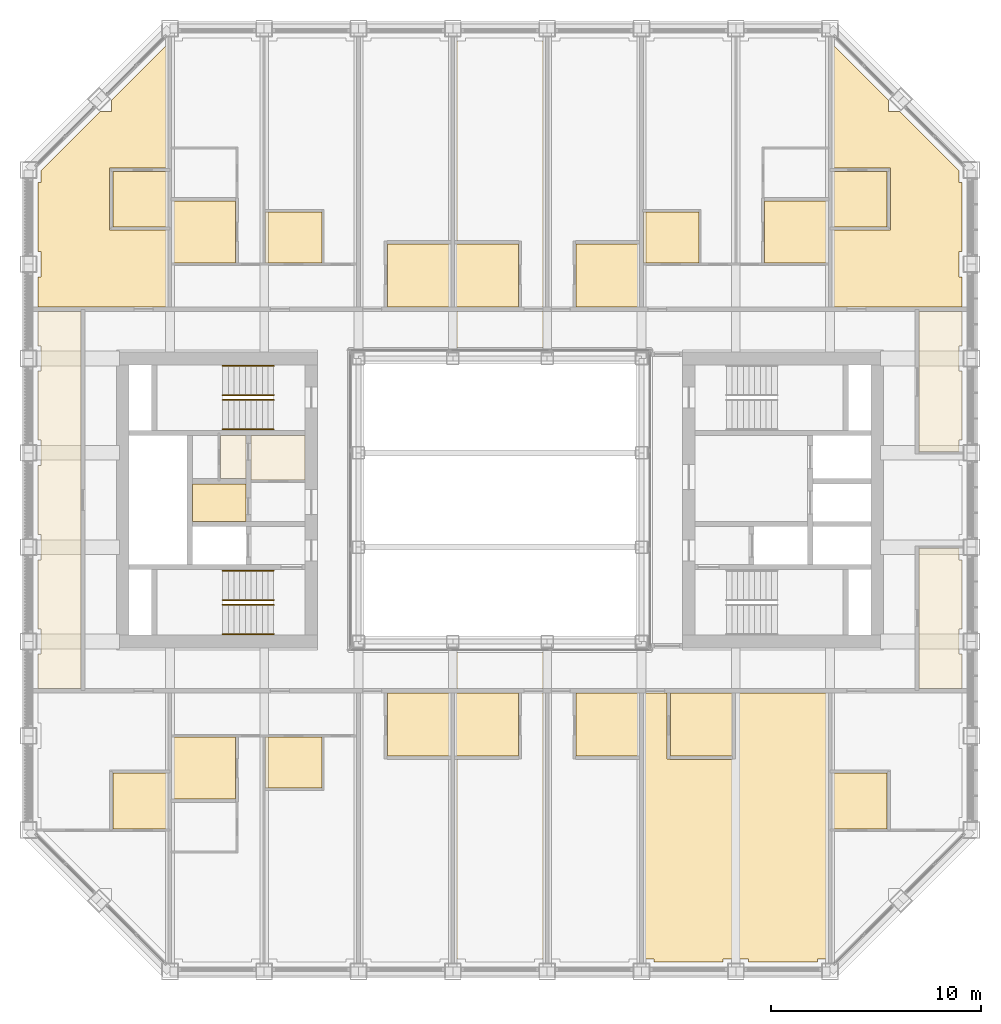
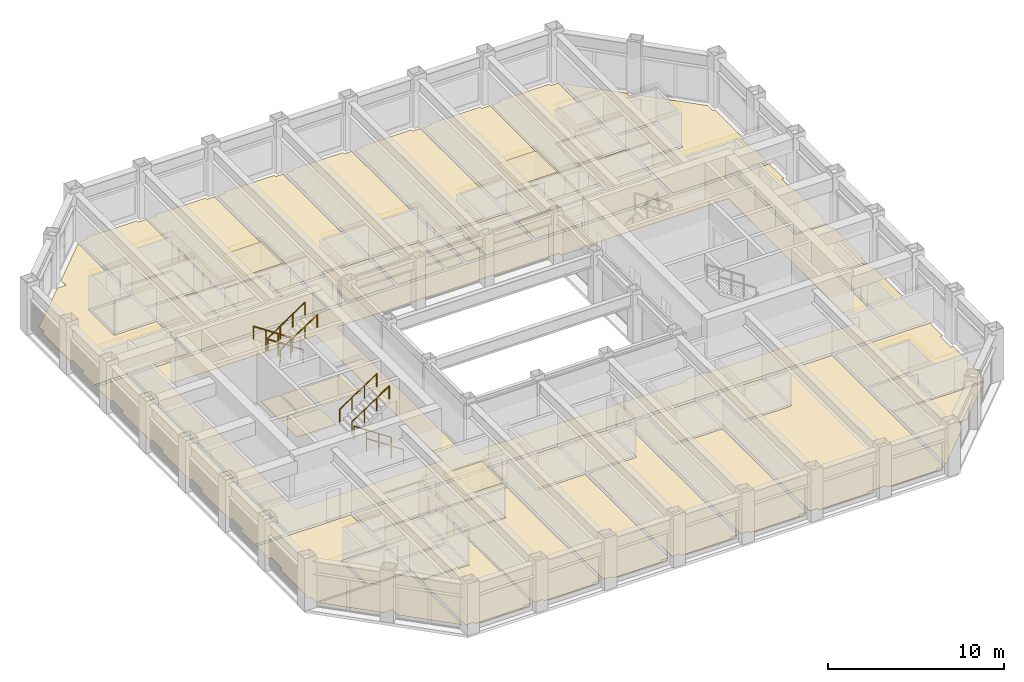
# One storey, part 16 of 18: 8 railings, 5 coverings.
"""IFC4 building model written with IfcOpenShell, lengths in metres."""

from ifc_helpers import new_model, si_unit, direction, frame, origin, origin_2d, place, context, subcontext, project, spatial, line, indexed_curve, circle, outline, extrude, material, layer, layer_set, type_object, element, save


model = new_model("IFC4")

# Units and contexts
model_context = context("Model", 3, precision=1e-05, world=origin(), true_north=direction((0.0, 1.0)))
body_context = subcontext(model_context, "Body", "Model", "MODEL_VIEW")
ifc_project = project(units=[si_unit("LENGTHUNIT", "METRE"), si_unit("AREAUNIT", "SQUARE_METRE"), si_unit("VOLUMEUNIT", "CUBIC_METRE"), si_unit("PLANEANGLEUNIT", "RADIAN"), si_unit("MASSUNIT", "GRAM", prefix="KILO")], contexts=[model_context])

# Site, building, storey
site_placement = place(None, origin())
site = spatial("IfcSite", under=ifc_project, at=site_placement, CompositionType="ELEMENT")
building_placement = place(site_placement, origin())
building = spatial("IfcBuilding", under=site, at=building_placement, Name="Msasa Ring Tower", CompositionType="ELEMENT")
storey_placement = place(building_placement, frame((0.0, 0.0, 186.800048828125)))
storey = spatial("IfcBuildingStorey", under=building, at=storey_placement, Name="L49", CompositionType="ELEMENT", Elevation=186.800048828125)

# Coverings
ifc_material_1 = material(Name="Perforated aluminium ceiling pans on a steel grid", Category="steel")
ifc_layer_1 = layer(ifc_material_1, 0.02490234375)
ifc_layer_set_1 = layer_set([ifc_layer_1], Name="C4 PERFORATED METAL PAN CEILING 25")
covering_type_1 = type_object("IfcCoveringType", Name="C4 PERFORATED METAL PAN CEILING 25", PredefinedType="CEILING", material=ifc_layer_set_1)
covering_1_placement = place(storey_placement, frame((0.0, 0.0, 2.39990234375)))
element("IfcCovering", 1, at=covering_1_placement, inside=storey, type_object=covering_type_1, Name="Perforated Metal Pan Ceiling 25 L49", PredefinedType="CEILING", context=body_context, shape_type="SweptSolid", body=[
    extrude(outline(indexed_curve([(-8.50048828125, -11.300537109375), (-8.50048828125, -13.74951171875), (-11.039306640625, -13.74951171875), (-11.039306640625, -11.300537109375)], segments=[line(1, 2, 3, 4, 1)], self_intersect=False)), origin(), (0.0, 0.0, 1.0), 0.025146484375),
    extrude(outline(indexed_curve([(-8.50048828125, 11.300537109375), (-11.039306640625, 11.300537109375), (-11.039306640625, 13.74951171875), (-8.50048828125, 13.74951171875)], segments=[line(1, 2, 3, 4, 1)], self_intersect=False)), origin(), (0.0, 0.0, 1.0), 0.025146484375),
    extrude(outline(indexed_curve([(9.49951171875, 11.300537109375), (6.960693359375, 11.300537109375), (6.960693359375, 13.74951171875), (9.49951171875, 13.74951171875)], segments=[line(1, 2, 3, 4, 1)], self_intersect=False)), origin(), (0.0, 0.0, 1.0), 0.025146484375),
])
ifc_material_2 = material(Name="Wool-blend carpet on felt underlay", Category="textile")
ifc_layer_2 = layer(ifc_material_2, 0.011962890625)
ifc_layer_set_2 = layer_set([ifc_layer_2], Name="F2 CARPET ON UNDERLAY 12")
covering_type_2 = type_object("IfcCoveringType", Name="F2 CARPET ON UNDERLAY 12", PredefinedType="FLOORING", material=ifc_layer_set_2)
covering_2_placement = place(storey_placement, origin())
element("IfcCovering", 2, at=covering_2_placement, inside=storey, type_object=covering_type_2, Name="Carpet On Underlay 12 L49", PredefinedType="FLOORING", context=body_context, shape_type="SweptSolid", body=[
    extrude(outline(indexed_curve([(-15.8505859375, -9.200439453125), (-15.8505859375, -12.869384765625), (-18.630615234375, -12.869384765625), (-18.630615234375, -15.694580078125), (-21.8994140625, -15.694580078125), (-21.8994140625, -15.1494140625), (-22.049560546875, -15.1494140625), (-22.049560546875, -11.8505859375), (-21.8994140625, -11.8505859375), (-21.8994140625, -10.6494140625), (-22.049560546875, -10.6494140625), (-22.049560546875, -9.200439453125)], segments=[line(1, 2, 3, 4, 5, 6, 7, 8, 9, 10, 11, 12, 1)], self_intersect=False)), origin(), (0.0, 0.0, 1.0), 0.011962890625),
    extrude(outline(indexed_curve([(-15.8505859375, -15.805419921875), (-15.8505859375, -21.762451171875), (-18.5244140625, -19.08837890625), (-18.5244140625, -18.5244140625), (-19.08837890625, -18.5244140625), (-21.807373046875, -15.805419921875)], segments=[line(1, 2, 3, 4, 5, 6, 1)], self_intersect=False)), origin(), (0.0, 0.0, 1.0), 0.011962890625),
    extrude(outline(indexed_curve([(22.049560546875, -1.6494140625), (21.8994140625, -1.6494140625), (21.8994140625, -2.199462890625), (19.799560546875, -2.199462890625), (19.799560546875, -8.99951171875), (-19.799560546875, -8.99951171875), (-19.799560546875, 8.99951171875), (19.799560546875, 8.99951171875), (19.799560546875, 2.199462890625), (21.8994140625, 2.199462890625), (21.8994140625, 1.6494140625), (22.049560546875, 1.6494140625)], segments=[line(1, 2, 3, 4, 5, 6, 7, 8, 9, 10, 11, 12, 1)], self_intersect=False), holes=[indexed_curve([(8.699462890625, -7.150390625), (18.300537109375, -7.150390625), (18.300537109375, 7.150390625), (8.699462890625, 7.150390625), (8.699462890625, 7.050537109375), (7.280029296875, 7.050537109375), (7.280517578125, 7.23046875), (7.22998046875, 7.23046875), (7.22998046875, 7.280029296875), (-7.22998046875, 7.280029296875), (-7.22998046875, 7.23046875), (-7.280517578125, 7.23046875), (-7.280517578125, -7.23046875), (-7.22998046875, -7.23046875), (-7.22998046875, -7.280029296875), (7.22998046875, -7.280029296875), (7.22998046875, -7.23046875), (7.280517578125, -7.23046875), (7.280029296875, -7.050537109375), (8.699462890625, -7.050537109375)], segments=[line(1, 2, 3, 4, 5, 6, 7, 8, 9, 10, 11, 12, 13, 14, 15, 16, 17, 18, 19, 20, 1)], self_intersect=False), indexed_curve([(-8.699462890625, -7.150390625), (-8.699462890625, 7.150390625), (-18.300537109375, 7.150390625), (-18.300537109375, -7.150390625)], segments=[line(1, 2, 3, 4, 1)], self_intersect=False)]), origin(), (0.0, 0.0, 1.0), 0.011962890625),
    extrude(outline(indexed_curve([(-15.662109375, -16.8505859375), (-12.49951171875, -16.8505859375), (-12.49951171875, -14.39990234375), (-12.474609375, -14.39990234375), (-12.474609375, -11.300537109375), (-11.310546875, -11.300537109375), (-11.310546875, -21.8994140625), (-11.8505859375, -21.8994140625), (-11.8505859375, -22.049560546875), (-15.1494140625, -22.049560546875), (-15.1494140625, -21.8994140625), (-15.662109375, -21.8994140625)], segments=[line(1, 2, 3, 4, 5, 6, 7, 8, 9, 10, 11, 12, 1)], self_intersect=False)), origin(), (0.0, 0.0, 1.0), 0.011962890625),
    extrude(outline(indexed_curve([(-12.6005859375, -16.744384765625), (-15.662109375, -16.744384765625), (-15.662109375, -14.430419921875), (-12.6005859375, -14.430419921875)], segments=[line(1, 2, 3, 4, 1)], self_intersect=False)), origin(), (0.0, 0.0, 1.0), 0.011962890625),
    extrude(outline(indexed_curve([(-11.8505859375, 22.049560546875), (-11.8505859375, 21.8994140625), (-11.310546875, 21.8994140625), (-11.310546875, 11.300537109375), (-12.474609375, 11.300537109375), (-12.474609375, 14.39990234375), (-12.49951171875, 14.39990234375), (-12.49951171875, 16.8505859375), (-15.662109375, 16.8505859375), (-15.662109375, 21.8994140625), (-15.1494140625, 21.8994140625), (-15.1494140625, 22.049560546875)], segments=[line(1, 2, 3, 4, 5, 6, 7, 8, 9, 10, 11, 12, 1)], self_intersect=False)), origin(), (0.0, 0.0, 1.0), 0.011962890625),
    extrude(outline(indexed_curve([(-12.6005859375, 16.744384765625), (-12.6005859375, 14.430419921875), (-15.662109375, 14.430419921875), (-15.662109375, 16.744384765625)], segments=[line(1, 2, 3, 4, 1)], self_intersect=False)), origin(), (0.0, 0.0, 1.0), 0.011962890625),
    extrude(outline(indexed_curve([(-6.8505859375, -9.200439453125), (-6.8505859375, -11.199462890625), (-15.6494140625, -11.199462890625), (-15.6494140625, -9.200439453125)], segments=[line(1, 2, 3, 4, 1)], self_intersect=False)), origin(), (0.0, 0.0, 1.0), 0.011962890625),
    extrude(outline(indexed_curve([(-6.8505859375, 9.200439453125), (-15.6494140625, 9.200439453125), (-15.6494140625, 11.199462890625), (-6.8505859375, 11.199462890625)], segments=[line(1, 2, 3, 4, 1)], self_intersect=False)), origin(), (0.0, 0.0, 1.0), 0.011962890625),
    extrude(outline(indexed_curve([(-13.45556640625, 1.025390625), (-14.674560546875, 1.025390625), (-14.674560546875, 3.074462890625), (-13.45556640625, 3.074462890625)], segments=[line(1, 2, 3, 4, 1)], self_intersect=False)), origin(), (0.0, 0.0, 1.0), 0.011962890625),
    extrude(outline(indexed_curve([(-10.6494140625, -22.049560546875), (-10.6494140625, -21.8994140625), (-11.189453125, -21.8994140625), (-11.189453125, -13.8505859375), (-8.3994140625, -13.8505859375), (-8.3994140625, -11.300537109375), (-6.837890625, -11.300537109375), (-6.837890625, -21.8994140625), (-7.3505859375, -21.8994140625), (-7.3505859375, -22.049560546875)], segments=[line(1, 2, 3, 4, 5, 6, 7, 8, 9, 10, 1)], self_intersect=False)), origin(), (0.0, 0.0, 1.0), 0.011962890625),
    extrude(outline(indexed_curve([(-8.3994140625, 11.300537109375), (-8.3994140625, 13.8505859375), (-11.189453125, 13.8505859375), (-11.189453125, 21.8994140625), (-10.6494140625, 21.8994140625), (-10.6494140625, 22.049560546875), (-7.3505859375, 22.049560546875), (-7.3505859375, 21.8994140625), (-6.837890625, 21.8994140625), (-6.837890625, 11.300537109375)], segments=[line(1, 2, 3, 4, 5, 6, 7, 8, 9, 10, 1)], self_intersect=False)), origin(), (0.0, 0.0, 1.0), 0.011962890625),
    extrude(outline(indexed_curve([(-6.6494140625, -9.200439453125), (-5.525390625, -9.200439453125), (-5.525390625, -12.35009765625), (-5.39990234375, -12.3505859375), (-5.39990234375, -12.37548828125), (-2.3505859375, -12.37548828125), (-2.3505859375, -21.8994140625), (-2.8505859375, -21.8994140625), (-2.8505859375, -22.049560546875), (-6.1494140625, -22.049560546875), (-6.1494140625, -21.8994140625), (-6.6494140625, -21.8994140625)], segments=[line(1, 2, 3, 4, 5, 6, 7, 8, 9, 10, 11, 12, 1)], self_intersect=False)), origin(), (0.0, 0.0, 1.0), 0.011962890625),
    extrude(outline(indexed_curve([(-2.8505859375, 22.049560546875), (-2.8505859375, 21.8994140625), (-2.3505859375, 21.8994140625), (-2.3505859375, 12.37548828125), (-5.39990234375, 12.37548828125), (-5.39990234375, 12.3505859375), (-5.525390625, 12.35009765625), (-5.525390625, 9.200439453125), (-6.6494140625, 9.200439453125), (-6.6494140625, 21.8994140625), (-6.1494140625, 21.8994140625), (-6.1494140625, 22.049560546875)], segments=[line(1, 2, 3, 4, 5, 6, 7, 8, 9, 10, 11, 12, 1)], self_intersect=False)), origin(), (0.0, 0.0, 1.0), 0.011962890625),
    extrude(outline(indexed_curve([(-1.6494140625, -22.049560546875), (-1.6494140625, -21.8994140625), (-2.1494140625, -21.8994140625), (-2.1494140625, -12.37548828125), (0.89990234375, -12.37548828125), (0.89990234375, -12.3505859375), (1.025390625, -12.35009765625), (1.025390625, -9.200439453125), (2.1494140625, -9.200439453125), (2.1494140625, -21.8994140625), (1.6494140625, -21.8994140625), (1.6494140625, -22.049560546875)], segments=[line(1, 2, 3, 4, 5, 6, 7, 8, 9, 10, 11, 12, 1)], self_intersect=False)), origin(), (0.0, 0.0, 1.0), 0.011962890625),
    extrude(outline(indexed_curve([(1.025390625, 9.200439453125), (1.025390625, 12.35009765625), (0.89990234375, 12.3505859375), (0.89990234375, 12.37548828125), (-2.1494140625, 12.37548828125), (-2.1494140625, 21.8994140625), (-1.6494140625, 21.8994140625), (-1.6494140625, 22.049560546875), (1.6494140625, 22.049560546875), (1.6494140625, 21.8994140625), (2.1494140625, 21.8994140625), (2.1494140625, 9.200439453125)], segments=[line(1, 2, 3, 4, 5, 6, 7, 8, 9, 10, 11, 12, 1)], self_intersect=False)), origin(), (0.0, 0.0, 1.0), 0.011962890625),
    extrude(outline(indexed_curve([(3.474609375, -9.200439453125), (3.474609375, -12.35009765625), (3.60009765625, -12.3505859375), (3.60009765625, -12.37548828125), (6.6494140625, -12.37548828125), (6.6494140625, -21.8994140625), (6.1494140625, -21.8994140625), (6.1494140625, -22.049560546875), (2.8505859375, -22.049560546875), (2.8505859375, -21.8994140625), (2.3505859375, -21.8994140625), (2.3505859375, -9.200439453125)], segments=[line(1, 2, 3, 4, 5, 6, 7, 8, 9, 10, 11, 12, 1)], self_intersect=False)), origin(), (0.0, 0.0, 1.0), 0.011962890625),
    extrude(outline(indexed_curve([(2.3505859375, 21.8994140625), (2.8505859375, 21.8994140625), (2.8505859375, 22.049560546875), (6.1494140625, 22.049560546875), (6.1494140625, 21.8994140625), (6.6494140625, 21.8994140625), (6.6494140625, 12.37548828125), (3.60009765625, 12.37548828125), (3.60009765625, 12.3505859375), (3.474609375, 12.35009765625), (3.474609375, 9.200439453125), (2.3505859375, 9.200439453125)], segments=[line(1, 2, 3, 4, 5, 6, 7, 8, 9, 10, 11, 12, 1)], self_intersect=False)), origin(), (0.0, 0.0, 1.0), 0.011962890625),
    extrude(outline(indexed_curve([(9.6005859375, 11.300537109375), (9.6005859375, 13.8505859375), (6.837890625, 13.8505859375), (6.837890625, 21.8994140625), (7.3505859375, 21.8994140625), (7.3505859375, 22.049560546875), (10.6494140625, 22.049560546875), (10.6494140625, 21.8994140625), (11.189453125, 21.8994140625), (11.189453125, 11.300537109375)], segments=[line(1, 2, 3, 4, 5, 6, 7, 8, 9, 10, 1)], self_intersect=False)), origin(), (0.0, 0.0, 1.0), 0.011962890625),
    extrude(outline(indexed_curve([(15.6494140625, 9.200439453125), (6.8505859375, 9.200439453125), (6.8505859375, 11.199462890625), (15.6494140625, 11.199462890625)], segments=[line(1, 2, 3, 4, 1)], self_intersect=False)), origin(), (0.0, 0.0, 1.0), 0.011962890625),
    extrude(outline(indexed_curve([(15.662109375, 16.8505859375), (12.49951171875, 16.8505859375), (12.49951171875, 14.39990234375), (12.474609375, 14.39990234375), (12.474609375, 11.300537109375), (11.310546875, 11.300537109375), (11.310546875, 21.8994140625), (11.8505859375, 21.8994140625), (11.8505859375, 22.049560546875), (15.1494140625, 22.049560546875), (15.1494140625, 21.8994140625), (15.662109375, 21.8994140625)], segments=[line(1, 2, 3, 4, 5, 6, 7, 8, 9, 10, 11, 12, 1)], self_intersect=False)), origin(), (0.0, 0.0, 1.0), 0.011962890625),
    extrude(outline(indexed_curve([(15.662109375, 16.744384765625), (15.662109375, 14.430419921875), (12.6005859375, 14.430419921875), (12.6005859375, 16.744384765625)], segments=[line(1, 2, 3, 4, 1)], self_intersect=False)), origin(), (0.0, 0.0, 1.0), 0.011962890625),
    extrude(outline(indexed_curve([(15.8505859375, -15.805419921875), (21.807373046875, -15.805419921875), (19.08837890625, -18.5244140625), (18.5244140625, -18.5244140625), (18.5244140625, -19.08837890625), (15.8505859375, -21.762451171875)], segments=[line(1, 2, 3, 4, 5, 6, 1)], self_intersect=False)), origin(), (0.0, 0.0, 1.0), 0.011962890625),
    extrude(outline(indexed_curve([(15.8505859375, -9.200439453125), (22.049560546875, -9.200439453125), (22.049560546875, -10.6494140625), (21.8994140625, -10.6494140625), (21.8994140625, -11.8505859375), (22.049560546875, -11.8505859375), (22.049560546875, -15.1494140625), (21.8994140625, -15.1494140625), (21.8994140625, -15.694580078125), (18.630615234375, -15.694580078125), (18.630615234375, -12.869384765625), (15.8505859375, -12.869384765625)], segments=[line(1, 2, 3, 4, 5, 6, 7, 8, 9, 10, 11, 12, 1)], self_intersect=False)), origin(), (0.0, 0.0, 1.0), 0.011962890625),
])
ifc_material_3 = material(Name="Engineered oak boards on an acoustic underlay", Category="wood")
ifc_layer_3 = layer(ifc_material_3, 0.01806640625)
ifc_layer_set_3 = layer_set([ifc_layer_3], Name="F3 ENGINEERED TIMBER ON ACOUSTIC UNDERLAY 18")
covering_type_3 = type_object("IfcCoveringType", Name="F3 ENGINEERED TIMBER ON ACOUSTIC UNDERLAY 18", PredefinedType="FLOORING", material=ifc_layer_set_3)
covering_3_placement = place(storey_placement, origin())
element("IfcCovering", 3, at=covering_3_placement, inside=storey, type_object=covering_type_3, Name="Engineered Timber On Acoustic Underlay 18 L49", PredefinedType="FLOORING", context=body_context, shape_type="SweptSolid", body=[
    extrude(outline(indexed_curve([(-18.630615234375, 15.83056640625), (-18.630615234375, 12.869384765625), (-15.8505859375, 12.869384765625), (-15.8505859375, 9.200439453125), (-22.049560546875, 9.200439453125), (-22.049560546875, 10.6494140625), (-21.8994140625, 10.6494140625), (-21.8994140625, 11.8505859375), (-22.049560546875, 11.8505859375), (-22.049560546875, 15.1494140625), (-21.8994140625, 15.1494140625), (-21.8994140625, 15.71337890625), (-19.08837890625, 18.5244140625), (-18.5244140625, 18.5244140625), (-18.5244140625, 19.08837890625), (-15.8505859375, 21.762451171875), (-15.8505859375, 15.83056640625)], segments=[line(1, 2, 3, 4, 5, 6, 7, 8, 9, 10, 11, 12, 13, 14, 15, 16, 17, 1)], self_intersect=False)), origin(), (0.0, 0.0, 1.0), 0.01806640625),
    extrude(outline(indexed_curve([(6.8505859375, -9.200439453125), (7.974609375, -9.200439453125), (7.974609375, -12.35009765625), (8.10009765625, -12.3505859375), (8.10009765625, -12.37548828125), (11.10009765625, -12.37548828125), (11.10009765625, -12.3505859375), (11.2255859375, -12.35009765625), (11.2255859375, -9.200439453125), (15.6494140625, -9.200439453125), (15.6494140625, -21.8994140625), (15.1494140625, -21.8994140625), (15.1494140625, -22.049560546875), (11.8505859375, -22.049560546875), (11.8505859375, -21.8994140625), (10.6494140625, -21.8994140625), (10.6494140625, -22.049560546875), (7.3505859375, -22.049560546875), (7.3505859375, -21.8994140625), (6.8505859375, -21.8994140625)], segments=[line(1, 2, 3, 4, 5, 6, 7, 8, 9, 10, 11, 12, 13, 14, 15, 16, 17, 18, 19, 20, 1)], self_intersect=False)), origin(), (0.0, 0.0, 1.0), 0.01806640625),
    extrude(outline(indexed_curve([(15.8505859375, 15.83056640625), (15.8505859375, 21.762451171875), (18.5244140625, 19.08837890625), (18.5244140625, 18.5244140625), (19.08837890625, 18.5244140625), (21.8994140625, 15.71337890625), (21.8994140625, 15.1494140625), (22.049560546875, 15.1494140625), (22.049560546875, 11.8505859375), (21.8994140625, 11.8505859375), (21.8994140625, 10.6494140625), (22.049560546875, 10.6494140625), (22.049560546875, 9.200439453125), (15.8505859375, 9.200439453125), (15.8505859375, 12.869384765625), (18.630615234375, 12.869384765625), (18.630615234375, 15.83056640625)], segments=[line(1, 2, 3, 4, 5, 6, 7, 8, 9, 10, 11, 12, 13, 14, 15, 16, 17, 1)], self_intersect=False)), origin(), (0.0, 0.0, 1.0), 0.01806640625),
])
ifc_material_4 = material(Name="Porcelain floor tiles in adhesive", Category="ceramic")
ifc_layer_4 = layer(ifc_material_4, 0.010009765625)
ifc_layer_set_4 = layer_set([ifc_layer_4], Name="F4 PORCELAIN TILE ON ADHESIVE 10")
covering_type_4 = type_object("IfcCoveringType", Name="F4 PORCELAIN TILE ON ADHESIVE 10", PredefinedType="FLOORING", material=ifc_layer_set_4)
covering_4_placement = place(storey_placement, origin())
element("IfcCovering", 4, at=covering_4_placement, inside=storey, type_object=covering_type_4, Name="Porcelain Tile On Adhesive 10 L49", PredefinedType="FLOORING", context=body_context, shape_type="SweptSolid", body=[
    extrude(outline(indexed_curve([(-18.469482421875, -13.030517578125), (-15.8505859375, -13.030517578125), (-15.8505859375, -15.694580078125), (-18.469482421875, -15.694580078125)], segments=[line(1, 2, 3, 4, 1)], self_intersect=False)), origin(), (0.0, 0.0, 1.0), 0.010009765625),
    extrude(outline(indexed_curve([(-15.8505859375, 15.66943359375), (-15.8505859375, 13.030517578125), (-18.469482421875, 13.030517578125), (-18.469482421875, 15.66943359375)], segments=[line(1, 2, 3, 4, 1)], self_intersect=False)), origin(), (0.0, 0.0, 1.0), 0.010009765625),
    extrude(outline(indexed_curve([(-12.62548828125, -11.300537109375), (-12.62548828125, -14.2744140625), (-15.662109375, -14.2744140625), (-15.662109375, -11.300537109375)], segments=[line(1, 2, 3, 4, 1)], self_intersect=False)), origin(), (0.0, 0.0, 1.0), 0.010009765625),
    extrude(outline(indexed_curve([(-15.662109375, 11.300537109375), (-15.662109375, 14.2744140625), (-12.62548828125, 14.2744140625), (-12.62548828125, 11.300537109375)], segments=[line(1, 2, 3, 4, 1)], self_intersect=False)), origin(), (0.0, 0.0, 1.0), 0.010009765625),
    extrude(outline(indexed_curve([(-12.12548828125, -1.0244140625), (-14.674560546875, -1.0244140625), (-14.674560546875, 0.7744140625), (-12.12548828125, 0.7744140625)], segments=[line(1, 2, 3, 4, 1)], self_intersect=False)), origin(), (0.0, 0.0, 1.0), 0.010009765625),
    extrude(outline(indexed_curve([(-2.3505859375, -9.200439453125), (-2.3505859375, -12.224609375), (-5.37451171875, -12.224609375), (-5.37451171875, -9.200439453125)], segments=[line(1, 2, 3, 4, 1)], self_intersect=False)), origin(), (0.0, 0.0, 1.0), 0.010009765625),
    extrude(outline(indexed_curve([(-2.3505859375, 9.200439453125), (-5.37451171875, 9.200439453125), (-5.37451171875, 12.224609375), (-2.3505859375, 12.224609375)], segments=[line(1, 2, 3, 4, 1)], self_intersect=False)), origin(), (0.0, 0.0, 1.0), 0.010009765625),
    extrude(outline(indexed_curve([(0.87451171875, -9.200439453125), (0.87451171875, -12.224609375), (-2.1494140625, -12.224609375), (-2.1494140625, -9.200439453125)], segments=[line(1, 2, 3, 4, 1)], self_intersect=False)), origin(), (0.0, 0.0, 1.0), 0.010009765625),
    extrude(outline(indexed_curve([(-2.1494140625, 9.200439453125), (-2.1494140625, 12.224609375), (0.87451171875, 12.224609375), (0.87451171875, 9.200439453125)], segments=[line(1, 2, 3, 4, 1)], self_intersect=False)), origin(), (0.0, 0.0, 1.0), 0.010009765625),
    extrude(outline(indexed_curve([(6.6494140625, -9.200439453125), (6.6494140625, -12.224609375), (3.62548828125, -12.224609375), (3.62548828125, -9.200439453125)], segments=[line(1, 2, 3, 4, 1)], self_intersect=False)), origin(), (0.0, 0.0, 1.0), 0.010009765625),
    extrude(outline(indexed_curve([(6.6494140625, 9.200439453125), (3.62548828125, 9.200439453125), (3.62548828125, 12.224609375), (6.6494140625, 12.224609375)], segments=[line(1, 2, 3, 4, 1)], self_intersect=False)), origin(), (0.0, 0.0, 1.0), 0.010009765625),
    extrude(outline(indexed_curve([(11.074462890625, -9.200439453125), (11.074462890625, -12.224609375), (8.12548828125, -12.224609375), (8.12548828125, -9.200439453125)], segments=[line(1, 2, 3, 4, 1)], self_intersect=False)), origin(), (0.0, 0.0, 1.0), 0.010009765625),
    extrude(outline(indexed_curve([(12.62548828125, 11.300537109375), (12.62548828125, 14.2744140625), (15.662109375, 14.2744140625), (15.662109375, 11.300537109375)], segments=[line(1, 2, 3, 4, 1)], self_intersect=False)), origin(), (0.0, 0.0, 1.0), 0.010009765625),
    extrude(outline(indexed_curve([(18.469482421875, -13.030517578125), (18.469482421875, -15.694580078125), (15.8505859375, -15.694580078125), (15.8505859375, -13.030517578125)], segments=[line(1, 2, 3, 4, 1)], self_intersect=False)), origin(), (0.0, 0.0, 1.0), 0.010009765625),
    extrude(outline(indexed_curve([(18.469482421875, 15.66943359375), (18.469482421875, 13.030517578125), (15.8505859375, 13.030517578125), (15.8505859375, 15.66943359375)], segments=[line(1, 2, 3, 4, 1)], self_intersect=False)), origin(), (0.0, 0.0, 1.0), 0.010009765625),
])
ifc_material_5 = material(Name="Welded vinyl safety sheet flooring", Category="vinyl")
ifc_layer_5 = layer(ifc_material_5, 0.0029296875)
ifc_layer_set_5 = layer_set([ifc_layer_5], Name="F5 RESILIENT SHEET FLOORING 3")
covering_type_5 = type_object("IfcCoveringType", Name="F5 RESILIENT SHEET FLOORING 3", PredefinedType="FLOORING", material=ifc_layer_set_5)
covering_5_placement = place(storey_placement, origin())
element("IfcCovering", 5, at=covering_5_placement, inside=storey, type_object=covering_type_5, Name="Resilient Sheet Flooring 3 L49", PredefinedType="FLOORING", context=body_context, shape_type="SweptSolid", body=[
    extrude(outline(indexed_curve([(-20.00048828125, -8.99951171875), (-22.049560546875, -8.99951171875), (-22.049560546875, -7.3505859375), (-21.8994140625, -7.3505859375), (-21.8994140625, -6.1494140625), (-22.049560546875, -6.1494140625), (-22.049560546875, -2.8505859375), (-21.8994140625, -2.8505859375), (-21.8994140625, -1.6494140625), (-22.049560546875, -1.6494140625), (-22.049560546875, 1.6494140625), (-21.8994140625, 1.6494140625), (-21.8994140625, 2.8505859375), (-22.049560546875, 2.8505859375), (-22.049560546875, 6.1494140625), (-21.8994140625, 6.1494140625), (-21.8994140625, 7.3505859375), (-22.049560546875, 7.3505859375), (-22.049560546875, 8.99951171875), (-20.00048828125, 8.99951171875)], segments=[line(1, 2, 3, 4, 5, 6, 7, 8, 9, 10, 11, 12, 13, 14, 15, 16, 17, 18, 19, 20, 1)], self_intersect=False)), origin(), (0.0, 0.0, 1.0), 0.0029296875),
    extrude(outline(indexed_curve([(-13.344482421875, 3.074462890625), (-12.12548828125, 3.074462890625), (-12.12548828125, 1.025390625), (-13.344482421875, 1.025390625)], segments=[line(1, 2, 3, 4, 1)], self_intersect=False)), origin(), (0.0, 0.0, 1.0), 0.0029296875),
    extrude(outline(indexed_curve([(-11.87451171875, 3.074462890625), (-9.300537109375, 3.074462890625), (-9.300537109375, 0.95556640625), (-11.87451171875, 0.95556640625)], segments=[line(1, 2, 3, 4, 1)], self_intersect=False)), origin(), (0.0, 0.0, 1.0), 0.0029296875),
    extrude(outline(indexed_curve([(-11.189453125, -11.300537109375), (-8.50048828125, -11.300537109375), (-8.50048828125, -13.74951171875), (-11.189453125, -13.74951171875)], segments=[line(1, 2, 3, 4, 1)], self_intersect=False)), origin(), (0.0, 0.0, 1.0), 0.0029296875),
    extrude(outline(indexed_curve([(-11.189453125, 13.74951171875), (-8.50048828125, 13.74951171875), (-8.50048828125, 11.300537109375), (-11.189453125, 11.300537109375)], segments=[line(1, 2, 3, 4, 1)], self_intersect=False)), origin(), (0.0, 0.0, 1.0), 0.0029296875),
    extrude(outline(indexed_curve([(9.49951171875, 13.74951171875), (9.49951171875, 11.300537109375), (6.837890625, 11.300537109375), (6.837890625, 13.74951171875)], segments=[line(1, 2, 3, 4, 1)], self_intersect=False)), origin(), (0.0, 0.0, 1.0), 0.0029296875),
    extrude(outline(indexed_curve([(20.00048828125, -8.99951171875), (20.00048828125, -2.305419921875), (21.8994140625, -2.305419921875), (21.8994140625, -2.8505859375), (22.049560546875, -2.8505859375), (22.049560546875, -6.1494140625), (21.8994140625, -6.1494140625), (21.8994140625, -7.3505859375), (22.049560546875, -7.3505859375), (22.049560546875, -8.99951171875)], segments=[line(1, 2, 3, 4, 5, 6, 7, 8, 9, 10, 1)], self_intersect=False)), origin(), (0.0, 0.0, 1.0), 0.0029296875),
    extrude(outline(indexed_curve([(20.00048828125, 2.305419921875), (20.00048828125, 8.99951171875), (22.049560546875, 8.99951171875), (22.049560546875, 7.3505859375), (21.8994140625, 7.3505859375), (21.8994140625, 6.1494140625), (22.049560546875, 6.1494140625), (22.049560546875, 2.8505859375), (21.8994140625, 2.8505859375), (21.8994140625, 2.305419921875)], segments=[line(1, 2, 3, 4, 5, 6, 7, 8, 9, 10, 1)], self_intersect=False)), origin(), (0.0, 0.0, 1.0), 0.0029296875),
])

# Railings
ifc_material_6 = material(Name="Stainless steel", Category="steel")
railing_type = type_object("IfcRailingType", Name="HR1 HANDRAIL 900", PredefinedType="HANDRAIL", material=ifc_material_6)
for number, where, name in (
    (6, (-10.800048828125, -6.39990234375, 0.179931640625), "Handrail stair SWA L49 1"),
    (7, (-10.800048828125, -5.0, 0.179931640625), "Handrail stair SWA L49 2"),
):
    element("IfcRailing", number, at=place(storey_placement, frame(where)), inside=storey, type_object=railing_type, Name=name, PredefinedType="HANDRAIL", context=body_context, shape_type="SweptSolid", body=[
        extrude(circle(Radius=0.02392578125, at=origin_2d()), frame((0.0, 0.0, 0.8759765625), z_axis=(-0.832024571796, 0.0, 0.554738778101), x_axis=(0.0, -1.0, 0.0)), (0.0, 0.0, 1.0), 2.92041015625),
        extrude(circle(Radius=0.02099609375, at=origin_2d()), origin(), (0.0, 0.0, 1.0), 0.851806640625),
        extrude(circle(Radius=0.02099609375, at=origin_2d()), frame((-0.81005859375, 0.0, 0.5400390625)), (0.0, 0.0, 1.0), 0.851806640625),
        extrude(circle(Radius=0.02099609375, at=origin_2d()), frame((-1.619873046875, 0.0, 1.080078125)), (0.0, 0.0, 1.0), 0.851806640625),
        extrude(circle(Radius=0.02099609375, at=origin_2d()), frame((-2.429931640625, 0.0, 1.6201171875)), (0.0, 0.0, 1.0), 0.851806640625),
    ])
for number, where, name in (
    (8, (-13.22998046875, -4.77490234375, 1.97998046875), "Handrail stair SWA L49 3"),
    (9, (-13.22998046875, -3.375, 1.97998046875), "Handrail stair SWA L49 4"),
):
    element("IfcRailing", number, at=place(storey_placement, frame(where)), inside=storey, type_object=railing_type, Name=name, PredefinedType="HANDRAIL", context=body_context, shape_type="SweptSolid", body=[
        extrude(circle(Radius=0.02392578125, at=origin_2d()), frame((0.0, 0.0, 0.8759765625), z_axis=(0.832063155534, 0.0, 0.554680903946), x_axis=(0.0, 1.0, 0.0)), (0.0, 0.0, 1.0), 2.92041015625),
        extrude(circle(Radius=0.02099609375, at=origin_2d()), origin(), (0.0, 0.0, 1.0), 0.851806640625),
        extrude(circle(Radius=0.02099609375, at=origin_2d()), frame((0.81005859375, 0.0, 0.5400390625)), (0.0, 0.0, 1.0), 0.851806640625),
        extrude(circle(Radius=0.02099609375, at=origin_2d()), frame((1.619873046875, 0.0, 1.079833984375)), (0.0, 0.0, 1.0), 0.851806640625),
        extrude(circle(Radius=0.02099609375, at=origin_2d()), frame((2.429931640625, 0.0, 1.619873046875)), (0.0, 0.0, 1.0), 0.851806640625),
    ])
for number, where, name in (
    (10, (-10.800048828125, 5.0, 0.179931640625), "Handrail stair SWB L49 1"),
    (11, (-10.800048828125, 6.39990234375, 0.179931640625), "Handrail stair SWB L49 2"),
):
    element("IfcRailing", number, at=place(storey_placement, frame(where)), inside=storey, type_object=railing_type, Name=name, PredefinedType="HANDRAIL", context=body_context, shape_type="SweptSolid", body=[
        extrude(circle(Radius=0.02392578125, at=origin_2d()), frame((0.0, 0.0, 0.8759765625), z_axis=(-0.832024571796, 0.0, 0.554738778101), x_axis=(0.0, -1.0, 0.0)), (0.0, 0.0, 1.0), 2.92041015625),
        extrude(circle(Radius=0.02099609375, at=origin_2d()), origin(), (0.0, 0.0, 1.0), 0.851806640625),
        extrude(circle(Radius=0.02099609375, at=origin_2d()), frame((-0.81005859375, 0.0, 0.5400390625)), (0.0, 0.0, 1.0), 0.851806640625),
        extrude(circle(Radius=0.02099609375, at=origin_2d()), frame((-1.619873046875, 0.0, 1.080078125)), (0.0, 0.0, 1.0), 0.851806640625),
        extrude(circle(Radius=0.02099609375, at=origin_2d()), frame((-2.429931640625, 0.0, 1.6201171875)), (0.0, 0.0, 1.0), 0.851806640625),
    ])
for number, where, name in (
    (12, (-13.22998046875, 3.375, 1.97998046875), "Handrail stair SWB L49 3"),
    (13, (-13.22998046875, 4.77490234375, 1.97998046875), "Handrail stair SWB L49 4"),
):
    element("IfcRailing", number, at=place(storey_placement, frame(where)), inside=storey, type_object=railing_type, Name=name, PredefinedType="HANDRAIL", context=body_context, shape_type="SweptSolid", body=[
        extrude(circle(Radius=0.02392578125, at=origin_2d()), frame((0.0, 0.0, 0.8759765625), z_axis=(0.832063155534, 0.0, 0.554680903946), x_axis=(0.0, 1.0, 0.0)), (0.0, 0.0, 1.0), 2.92041015625),
        extrude(circle(Radius=0.02099609375, at=origin_2d()), origin(), (0.0, 0.0, 1.0), 0.851806640625),
        extrude(circle(Radius=0.02099609375, at=origin_2d()), frame((0.81005859375, 0.0, 0.5400390625)), (0.0, 0.0, 1.0), 0.851806640625),
        extrude(circle(Radius=0.02099609375, at=origin_2d()), frame((1.619873046875, 0.0, 1.079833984375)), (0.0, 0.0, 1.0), 0.851806640625),
        extrude(circle(Radius=0.02099609375, at=origin_2d()), frame((2.429931640625, 0.0, 1.619873046875)), (0.0, 0.0, 1.0), 0.851806640625),
    ])

save(model, "model.ifc")
